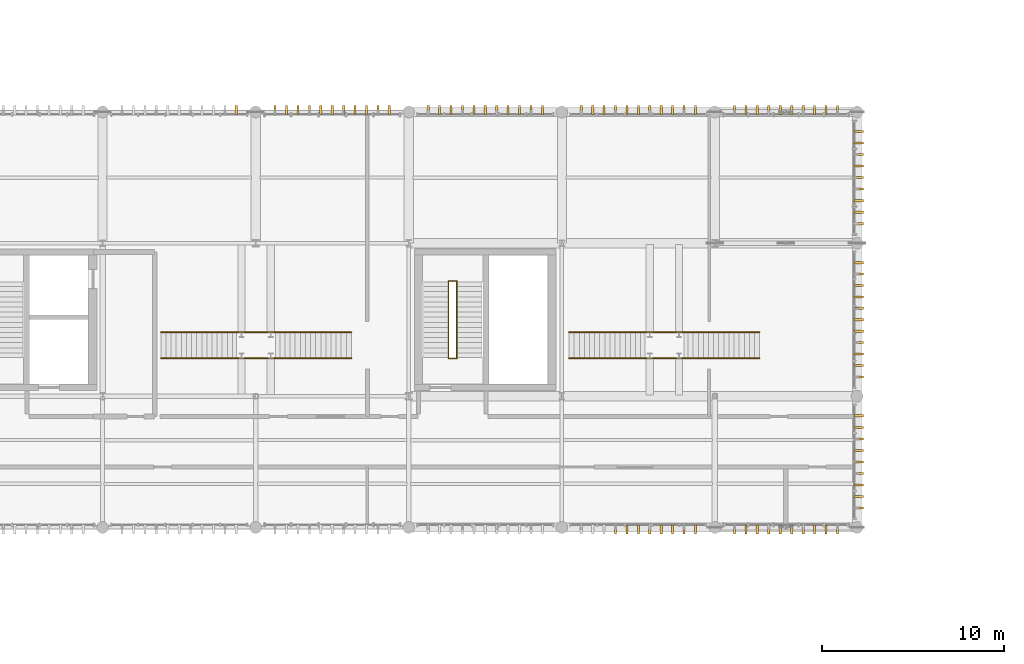
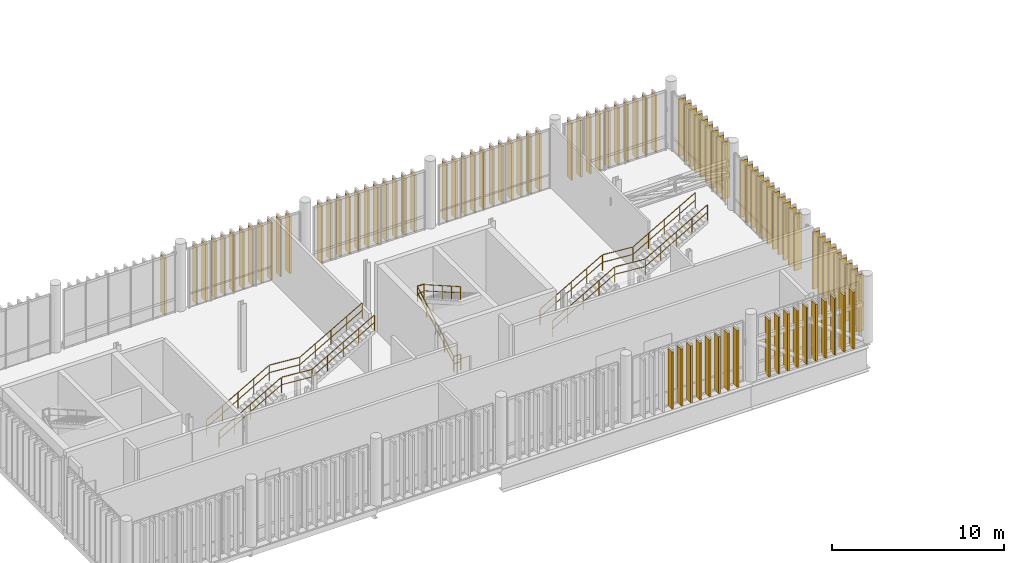
# One storey, part 82 of 86: 91 coverings, 8 railings.
"""IFC4 building model written with IfcOpenShell, lengths in metres."""

import ifcopenshell
import ifcopenshell.guid

model = None  # the IFC model being written
_history = None  # IfcOwnerHistory: only IFC2X3 demands one
_inside = {}  # id of a spatial element -> (the spatial element, [elements in it])
_under = {}  # id of a project, library or spatial element -> (it, [spatial elements below it])
_declared = {}  # id of a project -> (the project, [libraries it declares])
_typed = {}  # id of a type object -> (the type object, [elements of that type])
_made_of = {}  # id of a material, layer set ... -> (it, [elements and type objects made of it])


def new_model(schema):
    """Start an empty IFC model of exactly this schema.

    Asked for "IFC4X3", IfcOpenShell would pick the latest addendum, in which some entities
    have other attributes; the version numbers below select the first issue.
    IFC2X3 requires an IfcOwnerHistory on every rooted entity: one is made here for all.
    """
    global model, _history
    if schema == "IFC4X3":
        model = ifcopenshell.file(schema_version=(4, 3, 0, 0))
    else:
        model = ifcopenshell.file(schema=schema)
    _inside.clear()
    _under.clear()
    _declared.clear()
    _typed.clear()
    _made_of.clear()
    _history = None
    if model.schema == "IFC2X3":
        org = make("IfcOrganization", Name="unknown")
        user = make(
            "IfcPersonAndOrganization",
            ThePerson=make("IfcPerson", FamilyName="unknown"),
            TheOrganization=org,
        )
        app = make(
            "IfcApplication",
            ApplicationDeveloper=org,
            Version="unknown",
            ApplicationFullName="unknown",
            ApplicationIdentifier="unknown",
        )
        _history = make(
            "IfcOwnerHistory",
            OwningUser=user,
            OwningApplication=app,
            ChangeAction="ADDED",
            CreationDate=0,
        )
    return model


def make(cls, **values):
    """One entity of the class cls with the attributes given. An attribute that is None is left unset."""
    return model.create_entity(
        cls, **{name: value for name, value in values.items() if value is not None}
    )


def rooted(cls, **values):
    """An entity with a GlobalId (a new one), such as an element, a storey or a relation."""
    return make(cls, GlobalId=ifcopenshell.guid.new(), OwnerHistory=_history, **values)


def si_unit(unit_type, name, prefix=None):
    """IfcSIUnit, for example si_unit("LENGTHUNIT", "METRE", prefix="MILLI")."""
    return make("IfcSIUnit", UnitType=unit_type, Prefix=prefix, Name=name)


def assignment(units):
    """IfcUnitAssignment: the units of a project."""
    return None if units is None else make("IfcUnitAssignment", Units=units)


def point(xyz):
    """IfcCartesianPoint."""
    return None if xyz is None else make("IfcCartesianPoint", Coordinates=xyz)


def direction(xyz):
    """IfcDirection."""
    return None if xyz is None else make("IfcDirection", DirectionRatios=xyz)


def frame(location, z_axis=None, x_axis=None):
    """IfcAxis2Placement3D, a coordinate frame: its origin and axes. An axis left out is left unset."""
    return make(
        "IfcAxis2Placement3D",
        Location=point(location),
        Axis=direction(z_axis),
        RefDirection=direction(x_axis),
    )


def frame_2d(location, x_axis=None):
    """IfcAxis2Placement2D, a coordinate frame in the plane: its origin and x axis."""
    return make(
        "IfcAxis2Placement2D", Location=point(location), RefDirection=direction(x_axis)
    )


def origin_with_axes():
    """The frame at (0, 0, 0) with the z axis (0, 0, 1) and the x axis (1, 0, 0) written out."""
    return frame((0.0, 0.0, 0.0), z_axis=(0.0, 0.0, 1.0), x_axis=(1.0, 0.0, 0.0))


def origin_2d_with_axis():
    """The frame at (0, 0) in the plane with the x axis (1, 0) written out."""
    return frame_2d((0.0, 0.0), x_axis=(1.0, 0.0))


def place(relative_to, where):
    """IfcLocalPlacement: puts the frame where relative to a parent placement (None: the world)."""
    return make(
        "IfcLocalPlacement", PlacementRelTo=relative_to, RelativePlacement=where
    )


def context(
    kind, dimensions, precision=None, world=None, true_north=None, identifier=None
):
    """IfcGeometricRepresentationContext, for example the 3D "Model" context."""
    return make(
        "IfcGeometricRepresentationContext",
        ContextIdentifier=identifier,
        ContextType=kind,
        CoordinateSpaceDimension=dimensions,
        Precision=precision,
        WorldCoordinateSystem=world,
        TrueNorth=true_north,
    )


def subcontext(parent, identifier, kind, view, scale=None):
    """IfcGeometricRepresentationSubContext, for example "Body" below "Model"."""
    return make(
        "IfcGeometricRepresentationSubContext",
        ContextIdentifier=identifier,
        ContextType=kind,
        ParentContext=parent,
        TargetScale=scale,
        TargetView=view,
    )


def project(units=None, contexts=None):
    """IfcProject with its units and contexts."""
    return rooted(
        "IfcProject",
        Name="project",
        RepresentationContexts=contexts,
        UnitsInContext=assignment(units),
    )


def spatial(cls, under=None, at=None, **own):
    """A site, building, storey or space (cls), placed at a placement, below another one or the project."""
    s = rooted(cls, ObjectPlacement=at, **own)
    if under is not None:
        _under.setdefault(under.id(), (under, []))[1].append(s)
    return s


def profile(cls, at=None, kind="AREA", **sizes):
    """A parametric profile (cls). Its sizes go by their IFC names, for example OverallWidth=200.0."""
    return make(cls, ProfileType=kind, Position=at, **sizes)


def rectangle(**sizes):
    """IfcRectangleProfileDef."""
    return profile("IfcRectangleProfileDef", **sizes)


def circle(**sizes):
    """IfcCircleProfileDef."""
    return profile("IfcCircleProfileDef", **sizes)


def extrude(swept, where, along, depth):
    """IfcExtrudedAreaSolid: the profile swept, set in the frame where, extruded along a direction by depth."""
    return make(
        "IfcExtrudedAreaSolid",
        SweptArea=swept,
        Position=where,
        ExtrudedDirection=direction(along),
        Depth=depth,
    )


def shape(context_of_items, identifier, shape_type, items):
    """IfcShapeRepresentation: the items that make up one representation, for example the "Body"."""
    return make(
        "IfcShapeRepresentation",
        ContextOfItems=context_of_items,
        RepresentationIdentifier=identifier,
        RepresentationType=shape_type,
        Items=items,
    )


def material(Name=None, Category=None):
    """IfcMaterial."""
    return make("IfcMaterial", Name=Name, Category=Category)


def made_of(thing, what):
    """Note that an element or type object is made of a material, layer set ...; save() writes the relation."""
    if what is not None:
        _made_of.setdefault(what.id(), (what, []))[1].append(thing)
    return thing


def type_object(cls, material=None, **own):
    """A type object (cls), such as IfcWallType, which elements share."""
    return made_of(rooted(cls, **own), material)


def element(
    cls,
    number,
    at=None,
    inside=None,
    cuts=None,
    type_object=None,
    material=None,
    context=None,
    identifier="Body",
    shape_type=None,
    held_by="IfcProductDefinitionShape",
    body=None,
    shapes=None,
    **own,
):
    """One element of the class cls, such as IfcWall. Its Tag is "e" and its number.

    at: its placement. inside: the storey or other place that contains it. cuts: it is an
    opening in that element (IfcRelVoidsElement). A single representation is given by context,
    identifier, shape_type and body (its items); several are given by shapes. held_by: the class
    of the entity that holds the representations. save() writes the other relations.
    """
    e = rooted(cls, Tag="e%d" % number, ObjectPlacement=at, **own)
    if body is not None:
        shapes = [shape(context, identifier, shape_type, body)]
    if shapes is not None:
        e.Representation = make(held_by, Representations=shapes)
    if inside is not None:
        _inside.setdefault(inside.id(), (inside, []))[1].append(e)
    if cuts is not None:
        rooted(
            "IfcRelVoidsElement", RelatingBuildingElement=cuts, RelatedOpeningElement=e
        )
    if type_object is not None:
        _typed.setdefault(type_object.id(), (type_object, []))[1].append(e)
    return made_of(e, material)


def aggregate(whole, parts):
    """IfcRelAggregates: a whole, such as a stair, and the parts it consists of."""
    return rooted("IfcRelAggregates", RelatingObject=whole, RelatedObjects=parts)


def save(model, path):
    """Write the relations noted so far, then the file.

    IfcRelAggregates (storeys below a building ...), IfcRelContainedInSpatialStructure (elements
    in a storey), IfcRelDefinesByType, IfcRelAssociatesMaterial and IfcRelDeclares: one each for
    every whole, place, type object, material and project.
    """
    for whole, parts in _under.values():
        aggregate(whole, parts)
    for where, things in _inside.values():
        rooted(
            "IfcRelContainedInSpatialStructure",
            RelatedElements=things,
            RelatingStructure=where,
        )
    for kind, things in _typed.values():
        rooted("IfcRelDefinesByType", RelatedObjects=things, RelatingType=kind)
    for what, things in _made_of.values():
        rooted("IfcRelAssociatesMaterial", RelatedObjects=things, RelatingMaterial=what)
    for by, libraries in _declared.values():
        rooted("IfcRelDeclares", RelatingContext=by, RelatedDefinitions=libraries)
    model.write(path)


model = new_model("IFC4")

# Units and contexts
model_context = context("Model", 3, precision=1e-05, world=origin_with_axes(), true_north=direction((0.0, 1.0)))
body_context = subcontext(model_context, "Body", "Model", "MODEL_VIEW")
ifc_project = project(units=[si_unit("LENGTHUNIT", "METRE"), si_unit("AREAUNIT", "SQUARE_METRE"), si_unit("VOLUMEUNIT", "CUBIC_METRE"), si_unit("PLANEANGLEUNIT", "RADIAN"), si_unit("MASSUNIT", "GRAM", prefix="KILO"), si_unit("THERMODYNAMICTEMPERATUREUNIT", "KELVIN")], contexts=[model_context])

# Site, building, storey
site_placement = place(None, origin_with_axes())
site = spatial("IfcSite", under=ifc_project, at=site_placement, CompositionType="ELEMENT")
building_placement = place(site_placement, origin_with_axes())
building = spatial("IfcBuilding", under=site, at=building_placement, Name="Montbau Bow Law Courts", CompositionType="ELEMENT")
storey_placement = place(building_placement, frame((0.0, 0.0, 29.7), z_axis=(0.0, 0.0, 1.0), x_axis=(1.0, 0.0, 0.0)))
storey = spatial("IfcBuildingStorey", under=building, at=storey_placement, Name="L06", CompositionType="ELEMENT", Elevation=29.7)

# Coverings
ifc_material_1 = material(Name="Freeze-Thaw Glazed Warm Cream Ceramic Vertical Louvre", Category="masonry")
covering_type = type_object("IfcCoveringType", Name="CV-LVR-CRM", PredefinedType="CLADDING", material=ifc_material_1)
for number, where, z_axis, x_axis, name in (
    (1, (91.747, 39.13, 29.7), (-1.0, 0.0, 0.0), (0.0, -1.0, 0.0), "CLV-L06-1950:cov_1995"),
    (2, (92.373, 39.13, 29.7), (-1.0, 0.0, 0.0), (0.0, -1.0, 0.0), "CLV-L06-1951:cov_1996"),
    (3, (93.0, 39.13, 29.7), (-1.0, 0.0, 0.0), (0.0, -1.0, 0.0), "CLV-L06-1952:cov_1997"),
    (4, (93.627, 39.13, 29.7), (-1.0, 0.0, 0.0), (0.0, -1.0, 0.0), "CLV-L06-1953:cov_1998"),
    (5, (94.253, 39.13, 29.7), (-1.0, 0.0, 0.0), (0.0, -1.0, 0.0), "CLV-L06-1954:cov_1999"),
    (6, (94.88, 39.13, 29.7), (-1.0, 0.0, 0.0), (0.0, -1.0, 0.0), "CLV-L06-1955:cov_2000"),
    (7, (95.507, 39.13, 29.7), (-1.0, 0.0, 0.0), (0.0, -1.0, 0.0), "CLV-L06-1956:cov_2001"),
    (8, (96.133, 39.13, 29.7), (-1.0, 0.0, 0.0), (0.0, -1.0, 0.0), "CLV-L06-1957:cov_2002"),
    (9, (98.269, 39.13, 29.7), (-1.0, 0.0, 0.0), (0.0, -1.0, 0.0), "CLV-L06-1958:cov_2003"),
    (10, (98.898, 39.13, 29.7), (-1.0, 0.0, 0.0), (0.0, -1.0, 0.0), "CLV-L06-1959:cov_2004"),
    (11, (99.527, 39.13, 29.7), (-1.0, 0.0, 0.0), (0.0, -1.0, 0.0), "CLV-L06-1960:cov_2005"),
    (12, (100.156, 39.13, 29.7), (-1.0, 0.0, 0.0), (0.0, -1.0, 0.0), "CLV-L06-1961:cov_2006"),
    (13, (100.785, 39.13, 29.7), (-1.0, 0.0, 0.0), (0.0, -1.0, 0.0), "CLV-L06-1962:cov_2007"),
    (14, (101.415, 39.13, 29.7), (-1.0, 0.0, 0.0), (0.0, -1.0, 0.0), "CLV-L06-1963:cov_2008"),
    (15, (102.044, 39.13, 29.7), (-1.0, 0.0, 0.0), (0.0, -1.0, 0.0), "CLV-L06-1964:cov_2009"),
    (16, (102.673, 39.13, 29.7), (-1.0, 0.0, 0.0), (0.0, -1.0, 0.0), "CLV-L06-1965:cov_2010"),
    (17, (103.302, 39.13, 29.7), (-1.0, 0.0, 0.0), (0.0, -1.0, 0.0), "CLV-L06-1966:cov_2011"),
    (18, (103.931, 39.13, 29.7), (-1.0, 0.0, 0.0), (0.0, -1.0, 0.0), "CLV-L06-1967:cov_2012"),
    (19, (70.933, 61.67, 29.7), (1.0, 0.0, 0.0), (0.0, 1.0, 0.0), "CLV-L06-1989:cov_2034"),
    (20, (73.067, 61.67, 29.7), (1.0, 0.0, 0.0), (0.0, 1.0, 0.0), "CLV-L06-1990:cov_2035"),
    (21, (73.693, 61.67, 29.7), (1.0, 0.0, 0.0), (0.0, 1.0, 0.0), "CLV-L06-1991:cov_2036"),
    (22, (74.32, 61.67, 29.7), (1.0, 0.0, 0.0), (0.0, 1.0, 0.0), "CLV-L06-1992:cov_2037"),
    (23, (74.947, 61.67, 29.7), (1.0, 0.0, 0.0), (0.0, 1.0, 0.0), "CLV-L06-1993:cov_2038"),
    (24, (75.573, 61.67, 29.7), (1.0, 0.0, 0.0), (0.0, 1.0, 0.0), "CLV-L06-1994:cov_2039"),
    (25, (76.2, 61.67, 29.7), (1.0, 0.0, 0.0), (0.0, 1.0, 0.0), "CLV-L06-1995:cov_2040"),
    (26, (76.827, 61.67, 29.7), (1.0, 0.0, 0.0), (0.0, 1.0, 0.0), "CLV-L06-1996:cov_2041"),
    (27, (77.453, 61.67, 29.7), (1.0, 0.0, 0.0), (0.0, 1.0, 0.0), "CLV-L06-1997:cov_2042"),
    (28, (78.08, 61.67, 29.7), (1.0, 0.0, 0.0), (0.0, 1.0, 0.0), "CLV-L06-1998:cov_2043"),
    (29, (78.707, 61.67, 29.7), (1.0, 0.0, 0.0), (0.0, 1.0, 0.0), "CLV-L06-1999:cov_2044"),
    (30, (79.333, 61.67, 29.7), (1.0, 0.0, 0.0), (0.0, 1.0, 0.0), "CLV-L06-2000:cov_2045"),
    (31, (81.467, 61.67, 29.7), (1.0, 0.0, 0.0), (0.0, 1.0, 0.0), "CLV-L06-2001:cov_2046"),
    (32, (82.093, 61.67, 29.7), (1.0, 0.0, 0.0), (0.0, 1.0, 0.0), "CLV-L06-2002:cov_2047"),
    (33, (82.72, 61.67, 29.7), (1.0, 0.0, 0.0), (0.0, 1.0, 0.0), "CLV-L06-2003:cov_2048"),
    (34, (83.347, 61.67, 29.7), (1.0, 0.0, 0.0), (0.0, 1.0, 0.0), "CLV-L06-2004:cov_2049"),
    (35, (83.973, 61.67, 29.7), (1.0, 0.0, 0.0), (0.0, 1.0, 0.0), "CLV-L06-2005:cov_2050"),
    (36, (84.6, 61.67, 29.7), (1.0, 0.0, 0.0), (0.0, 1.0, 0.0), "CLV-L06-2006:cov_2051"),
    (37, (85.227, 61.67, 29.7), (1.0, 0.0, 0.0), (0.0, 1.0, 0.0), "CLV-L06-2007:cov_2052"),
    (38, (85.853, 61.67, 29.7), (1.0, 0.0, 0.0), (0.0, 1.0, 0.0), "CLV-L06-2008:cov_2053"),
    (39, (86.48, 61.67, 29.7), (1.0, 0.0, 0.0), (0.0, 1.0, 0.0), "CLV-L06-2009:cov_2054"),
    (40, (87.107, 61.67, 29.7), (1.0, 0.0, 0.0), (0.0, 1.0, 0.0), "CLV-L06-2010:cov_2055"),
    (41, (87.733, 61.67, 29.7), (1.0, 0.0, 0.0), (0.0, 1.0, 0.0), "CLV-L06-2011:cov_2056"),
    (42, (89.867, 61.67, 29.7), (1.0, 0.0, 0.0), (0.0, 1.0, 0.0), "CLV-L06-2012:cov_2057"),
    (43, (90.493, 61.67, 29.7), (1.0, 0.0, 0.0), (0.0, 1.0, 0.0), "CLV-L06-2013:cov_2058"),
    (44, (91.12, 61.67, 29.7), (1.0, 0.0, 0.0), (0.0, 1.0, 0.0), "CLV-L06-2014:cov_2059"),
    (45, (91.747, 61.67, 29.7), (1.0, 0.0, 0.0), (0.0, 1.0, 0.0), "CLV-L06-2015:cov_2060"),
    (46, (92.373, 61.67, 29.7), (1.0, 0.0, 0.0), (0.0, 1.0, 0.0), "CLV-L06-2016:cov_2061"),
    (47, (93.0, 61.67, 29.7), (1.0, 0.0, 0.0), (0.0, 1.0, 0.0), "CLV-L06-2017:cov_2062"),
    (48, (93.627, 61.67, 29.7), (1.0, 0.0, 0.0), (0.0, 1.0, 0.0), "CLV-L06-2018:cov_2063"),
    (49, (94.253, 61.67, 29.7), (1.0, 0.0, 0.0), (0.0, 1.0, 0.0), "CLV-L06-2019:cov_2064"),
    (50, (94.88, 61.67, 29.7), (1.0, 0.0, 0.0), (0.0, 1.0, 0.0), "CLV-L06-2020:cov_2065"),
    (51, (95.507, 61.67, 29.7), (1.0, 0.0, 0.0), (0.0, 1.0, 0.0), "CLV-L06-2021:cov_2066"),
    (52, (96.133, 61.67, 29.7), (1.0, 0.0, 0.0), (0.0, 1.0, 0.0), "CLV-L06-2022:cov_2067"),
    (53, (98.269, 61.67, 29.7), (1.0, 0.0, 0.0), (0.0, 1.0, 0.0), "CLV-L06-2023:cov_2068"),
    (54, (98.898, 61.67, 29.7), (1.0, 0.0, 0.0), (0.0, 1.0, 0.0), "CLV-L06-2024:cov_2069"),
    (55, (99.527, 61.67, 29.7), (1.0, 0.0, 0.0), (0.0, 1.0, 0.0), "CLV-L06-2025:cov_2070"),
    (56, (100.156, 61.67, 29.7), (1.0, 0.0, 0.0), (0.0, 1.0, 0.0), "CLV-L06-2026:cov_2071"),
    (57, (100.785, 61.67, 29.7), (1.0, 0.0, 0.0), (0.0, 1.0, 0.0), "CLV-L06-2027:cov_2072"),
    (58, (101.415, 61.67, 29.7), (1.0, 0.0, 0.0), (0.0, 1.0, 0.0), "CLV-L06-2028:cov_2073"),
    (59, (102.044, 61.67, 29.7), (1.0, 0.0, 0.0), (0.0, 1.0, 0.0), "CLV-L06-2029:cov_2074"),
    (60, (102.673, 61.67, 29.7), (1.0, 0.0, 0.0), (0.0, 1.0, 0.0), "CLV-L06-2030:cov_2075"),
    (61, (103.302, 61.67, 29.7), (1.0, 0.0, 0.0), (0.0, 1.0, 0.0), "CLV-L06-2031:cov_2076"),
    (62, (103.931, 61.67, 29.7), (1.0, 0.0, 0.0), (0.0, 1.0, 0.0), "CLV-L06-2032:cov_2077"),
    (63, (104.87, 40.072, 29.7), (0.0, -1.0, 0.0), (1.0, 0.0, 0.0), "CLV-L06-2062:cov_2107"),
    (64, (104.87, 40.704, 29.7), (0.0, -1.0, 0.0), (1.0, 0.0, 0.0), "CLV-L06-2063:cov_2108"),
    (65, (104.87, 41.336, 29.7), (0.0, -1.0, 0.0), (1.0, 0.0, 0.0), "CLV-L06-2064:cov_2109"),
    (66, (104.87, 41.968, 29.7), (0.0, -1.0, 0.0), (1.0, 0.0, 0.0), "CLV-L06-2065:cov_2110"),
    (67, (104.87, 42.6, 29.7), (0.0, -1.0, 0.0), (1.0, 0.0, 0.0), "CLV-L06-2066:cov_2111"),
    (68, (104.87, 43.232, 29.7), (0.0, -1.0, 0.0), (1.0, 0.0, 0.0), "CLV-L06-2067:cov_2112"),
    (69, (104.87, 43.864, 29.7), (0.0, -1.0, 0.0), (1.0, 0.0, 0.0), "CLV-L06-2068:cov_2113"),
    (70, (104.87, 44.496, 29.7), (0.0, -1.0, 0.0), (1.0, 0.0, 0.0), "CLV-L06-2069:cov_2114"),
    (71, (104.87, 45.128, 29.7), (0.0, -1.0, 0.0), (1.0, 0.0, 0.0), "CLV-L06-2070:cov_2115"),
    (72, (104.87, 47.267, 29.7), (0.0, -1.0, 0.0), (1.0, 0.0, 0.0), "CLV-L06-2071:cov_2116"),
    (73, (104.87, 47.893, 29.7), (0.0, -1.0, 0.0), (1.0, 0.0, 0.0), "CLV-L06-2072:cov_2117"),
    (74, (104.87, 48.52, 29.7), (0.0, -1.0, 0.0), (1.0, 0.0, 0.0), "CLV-L06-2073:cov_2118"),
    (75, (104.87, 49.147, 29.7), (0.0, -1.0, 0.0), (1.0, 0.0, 0.0), "CLV-L06-2074:cov_2119"),
    (76, (104.87, 49.773, 29.7), (0.0, -1.0, 0.0), (1.0, 0.0, 0.0), "CLV-L06-2075:cov_2120"),
    (77, (104.87, 50.4, 29.7), (0.0, -1.0, 0.0), (1.0, 0.0, 0.0), "CLV-L06-2076:cov_2121"),
    (78, (104.87, 51.027, 29.7), (0.0, -1.0, 0.0), (1.0, 0.0, 0.0), "CLV-L06-2077:cov_2122"),
    (79, (104.87, 51.653, 29.7), (0.0, -1.0, 0.0), (1.0, 0.0, 0.0), "CLV-L06-2078:cov_2123"),
    (80, (104.87, 52.28, 29.7), (0.0, -1.0, 0.0), (1.0, 0.0, 0.0), "CLV-L06-2079:cov_2124"),
    (81, (104.87, 52.907, 29.7), (0.0, -1.0, 0.0), (1.0, 0.0, 0.0), "CLV-L06-2080:cov_2125"),
    (82, (104.87, 53.533, 29.7), (0.0, -1.0, 0.0), (1.0, 0.0, 0.0), "CLV-L06-2081:cov_2126"),
    (83, (104.87, 55.672, 29.7), (0.0, -1.0, 0.0), (1.0, 0.0, 0.0), "CLV-L06-2082:cov_2127"),
    (84, (104.87, 56.304, 29.7), (0.0, -1.0, 0.0), (1.0, 0.0, 0.0), "CLV-L06-2083:cov_2128"),
    (85, (104.87, 56.936, 29.7), (0.0, -1.0, 0.0), (1.0, 0.0, 0.0), "CLV-L06-2084:cov_2129"),
    (86, (104.87, 57.568, 29.7), (0.0, -1.0, 0.0), (1.0, 0.0, 0.0), "CLV-L06-2085:cov_2130"),
    (87, (104.87, 58.2, 29.7), (0.0, -1.0, 0.0), (1.0, 0.0, 0.0), "CLV-L06-2086:cov_2131"),
    (88, (104.87, 58.832, 29.7), (0.0, -1.0, 0.0), (1.0, 0.0, 0.0), "CLV-L06-2087:cov_2132"),
    (89, (104.87, 59.464, 29.7), (0.0, -1.0, 0.0), (1.0, 0.0, 0.0), "CLV-L06-2088:cov_2133"),
    (90, (104.87, 60.096, 29.7), (0.0, -1.0, 0.0), (1.0, 0.0, 0.0), "CLV-L06-2089:cov_2134"),
    (91, (104.87, 60.728, 29.7), (0.0, -1.0, 0.0), (1.0, 0.0, 0.0), "CLV-L06-2090:cov_2135"),
):
    element("IfcCovering", number, at=place(None, frame(where, z_axis=z_axis, x_axis=x_axis)), inside=storey, type_object=covering_type, Name=name, PredefinedType="CLADDING", context=body_context, shape_type="SweptSolid", body=[
        extrude(rectangle(XDim=0.48, YDim=4.04, at=frame_2d((0.24, 2.02), x_axis=(1.0, 0.0))), frame((0.0, 0.0, -0.06), z_axis=(0.0, 0.0, 1.0), x_axis=(1.0, 0.0, 0.0)), (0.0, 0.0, 1.0), 0.12),
    ])

# Railings
ifc_material_2 = material(Name="Architectural Bronze-Finished Steel Stair Guard", Category="steel")
railing_type_1 = type_object("IfcRailingType", Name="RL-GRD-1100", PredefinedType="GUARDRAIL", material=ifc_material_2)
railing_1_placement = place(None, origin_with_axes())
element("IfcRailing", 92, at=railing_1_placement, inside=storey, type_object=railing_type_1, Name="SG-ST-P3-L06-ML:rlg_0157", PredefinedType="GUARDRAIL", context=body_context, shape_type="SweptSolid", body=[
    extrude(circle(Radius=0.0225, at=origin_2d_with_axis()), frame((82.585, 52.53, 33.202), z_axis=(1.0, 0.0, 0.0), x_axis=(0.0, 0.0, 1.0)), (0.0, 0.0, 1.0), 0.455),
    extrude(circle(Radius=0.02025, at=origin_2d_with_axis()), frame((82.585, 52.53, 32.672), z_axis=(1.0, 0.0, 0.0), x_axis=(0.0, 0.0, 1.0)), (0.0, 0.0, 1.0), 0.455),
    extrude(circle(Radius=0.02025, at=origin_2d_with_axis()), frame((82.585, 52.53, 32.1), z_axis=(0.0, 0.0, 1.0), x_axis=(1.0, 0.0, 0.0)), (0.0, 0.0, 1.0), 1.07525),
    extrude(circle(Radius=0.02025, at=origin_2d_with_axis()), frame((83.04, 52.53, 32.1), z_axis=(0.0, 0.0, 1.0), x_axis=(1.0, 0.0, 0.0)), (0.0, 0.0, 1.0), 1.07525),
])
railing_2_placement = place(None, origin_with_axes())
element("IfcRailing", 93, at=railing_2_placement, inside=storey, type_object=railing_type_1, Name="SG-ST-P3-L06-BL:rlg_0158", PredefinedType="GUARDRAIL", context=body_context, shape_type="SweptSolid", body=[
    extrude(circle(Radius=0.0225, at=origin_2d_with_axis()), frame((82.585, 48.27, 30.802), z_axis=(1.0, 0.0, 0.0), x_axis=(0.0, 0.0, 1.0)), (0.0, 0.0, 1.0), 0.455),
    extrude(circle(Radius=0.02025, at=origin_2d_with_axis()), frame((82.585, 48.27, 30.272), z_axis=(1.0, 0.0, 0.0), x_axis=(0.0, 0.0, 1.0)), (0.0, 0.0, 1.0), 0.455),
    extrude(circle(Radius=0.02025, at=origin_2d_with_axis()), frame((82.585, 48.27, 29.7), z_axis=(0.0, 0.0, 1.0), x_axis=(1.0, 0.0, 0.0)), (0.0, 0.0, 1.0), 1.07525),
    extrude(circle(Radius=0.02025, at=origin_2d_with_axis()), frame((83.04, 48.27, 29.7), z_axis=(0.0, 0.0, 1.0), x_axis=(1.0, 0.0, 0.0)), (0.0, 0.0, 1.0), 1.07525),
])
railing_3_placement = place(None, origin_with_axes())
element("IfcRailing", 94, at=railing_3_placement, inside=storey, type_object=railing_type_1, Name="SG-ST-LIB-01-S:rlg_0290", PredefinedType="GUARDRAIL", context=body_context, shape_type="SweptSolid", body=[
    extrude(circle(Radius=0.0225, at=origin_2d_with_axis()), frame((66.8, 48.29, 30.962), z_axis=(0.868243142, 0.0, 0.496138938), x_axis=(-0.496138938, 0.0, 0.868243142)), (0.0, 0.0, 1.0), 4.808105),
    extrude(circle(Radius=0.02025, at=origin_2d_with_axis()), frame((66.8, 48.29, 30.432), z_axis=(0.868243142, 0.0, 0.496138938), x_axis=(-0.496138938, 0.0, 0.868243142)), (0.0, 0.0, 1.0), 4.808105),
    extrude(circle(Radius=0.02025, at=origin_2d_with_axis()), frame((66.8, 48.29, 29.86), z_axis=(0.0, 0.0, 1.0), x_axis=(1.0, 0.0, 0.0)), (0.0, 0.0, 1.0), 1.07525),
    extrude(circle(Radius=0.02025, at=origin_2d_with_axis()), frame((67.85, 48.29, 30.46), z_axis=(0.0, 0.0, 1.0), x_axis=(1.0, 0.0, 0.0)), (0.0, 0.0, 1.0), 1.07525),
    extrude(circle(Radius=0.02025, at=origin_2d_with_axis()), frame((68.9, 48.29, 31.06), z_axis=(0.0, 0.0, 1.0), x_axis=(1.0, 0.0, 0.0)), (0.0, 0.0, 1.0), 1.07525),
    extrude(circle(Radius=0.02025, at=origin_2d_with_axis()), frame((69.95, 48.29, 31.66), z_axis=(0.0, 0.0, 1.0), x_axis=(1.0, 0.0, 0.0)), (0.0, 0.0, 1.0), 1.07525),
    extrude(circle(Radius=0.02025, at=origin_2d_with_axis()), frame((71.0, 48.29, 32.26), z_axis=(0.0, 0.0, 1.0), x_axis=(1.0, 0.0, 0.0)), (0.0, 0.0, 1.0), 1.07525),
    extrude(circle(Radius=0.0225, at=origin_2d_with_axis()), frame((71.029161, 48.29, 33.359724), z_axis=(0.996968039, 0.0, -0.07781214), x_axis=(0.07781214, 0.0, 0.996968039)), (0.0, 0.0, 1.0), 1.997734),
    extrude(circle(Radius=0.02025, at=origin_2d_with_axis()), frame((71.029161, 48.29, 32.829724), z_axis=(0.996968039, 0.0, -0.07781214), x_axis=(0.07781214, 0.0, 0.996968039)), (0.0, 0.0, 1.0), 1.997734),
    extrude(circle(Radius=0.02025, at=origin_2d_with_axis()), frame((73.05, 48.29, 32.1), z_axis=(0.0, 0.0, 1.0), x_axis=(1.0, 0.0, 0.0)), (0.0, 0.0, 1.0), 1.07525),
    extrude(circle(Radius=0.0225, at=origin_2d_with_axis()), frame((73.075396, 48.29, 33.216512), z_axis=(0.868243142, 0.0, 0.496138938), x_axis=(-0.496138938, 0.0, 0.868243142)), (0.0, 0.0, 1.0), 4.808105),
    extrude(circle(Radius=0.02025, at=origin_2d_with_axis()), frame((73.075396, 48.29, 32.686512), z_axis=(0.868243142, 0.0, 0.496138938), x_axis=(-0.496138938, 0.0, 0.868243142)), (0.0, 0.0, 1.0), 4.808105),
    extrude(circle(Radius=0.02025, at=origin_2d_with_axis()), frame((74.1, 48.29, 32.7), z_axis=(0.0, 0.0, 1.0), x_axis=(1.0, 0.0, 0.0)), (0.0, 0.0, 1.0), 1.07525),
    extrude(circle(Radius=0.02025, at=origin_2d_with_axis()), frame((75.15, 48.29, 33.3), z_axis=(0.0, 0.0, 1.0), x_axis=(1.0, 0.0, 0.0)), (0.0, 0.0, 1.0), 1.07525),
    extrude(circle(Radius=0.02025, at=origin_2d_with_axis()), frame((76.2, 48.29, 33.9), z_axis=(0.0, 0.0, 1.0), x_axis=(1.0, 0.0, 0.0)), (0.0, 0.0, 1.0), 1.07525),
    extrude(circle(Radius=0.02025, at=origin_2d_with_axis()), frame((77.25, 48.29, 34.5), z_axis=(0.0, 0.0, 1.0), x_axis=(1.0, 0.0, 0.0)), (0.0, 0.0, 1.0), 1.07525),
])
railing_4_placement = place(None, origin_with_axes())
element("IfcRailing", 95, at=railing_4_placement, inside=storey, type_object=railing_type_1, Name="SG-ST-LIB-01-N:rlg_0291", PredefinedType="GUARDRAIL", context=body_context, shape_type="SweptSolid", body=[
    extrude(circle(Radius=0.0225, at=origin_2d_with_axis()), frame((66.8, 49.71, 30.962), z_axis=(0.868243142, 0.0, 0.496138938), x_axis=(-0.496138938, 0.0, 0.868243142)), (0.0, 0.0, 1.0), 4.808105),
    extrude(circle(Radius=0.02025, at=origin_2d_with_axis()), frame((66.8, 49.71, 30.432), z_axis=(0.868243142, 0.0, 0.496138938), x_axis=(-0.496138938, 0.0, 0.868243142)), (0.0, 0.0, 1.0), 4.808105),
    extrude(circle(Radius=0.02025, at=origin_2d_with_axis()), frame((66.8, 49.71, 29.86), z_axis=(0.0, 0.0, 1.0), x_axis=(1.0, 0.0, 0.0)), (0.0, 0.0, 1.0), 1.07525),
    extrude(circle(Radius=0.02025, at=origin_2d_with_axis()), frame((67.85, 49.71, 30.46), z_axis=(0.0, 0.0, 1.0), x_axis=(1.0, 0.0, 0.0)), (0.0, 0.0, 1.0), 1.07525),
    extrude(circle(Radius=0.02025, at=origin_2d_with_axis()), frame((68.9, 49.71, 31.06), z_axis=(0.0, 0.0, 1.0), x_axis=(1.0, 0.0, 0.0)), (0.0, 0.0, 1.0), 1.07525),
    extrude(circle(Radius=0.02025, at=origin_2d_with_axis()), frame((69.95, 49.71, 31.66), z_axis=(0.0, 0.0, 1.0), x_axis=(1.0, 0.0, 0.0)), (0.0, 0.0, 1.0), 1.07525),
    extrude(circle(Radius=0.02025, at=origin_2d_with_axis()), frame((71.0, 49.71, 32.26), z_axis=(0.0, 0.0, 1.0), x_axis=(1.0, 0.0, 0.0)), (0.0, 0.0, 1.0), 1.07525),
    extrude(circle(Radius=0.0225, at=origin_2d_with_axis()), frame((71.029161, 49.71, 33.359724), z_axis=(0.996968039, 0.0, -0.07781214), x_axis=(0.07781214, 0.0, 0.996968039)), (0.0, 0.0, 1.0), 1.997734),
    extrude(circle(Radius=0.02025, at=origin_2d_with_axis()), frame((71.029161, 49.71, 32.829724), z_axis=(0.996968039, 0.0, -0.07781214), x_axis=(0.07781214, 0.0, 0.996968039)), (0.0, 0.0, 1.0), 1.997734),
    extrude(circle(Radius=0.02025, at=origin_2d_with_axis()), frame((73.05, 49.71, 32.1), z_axis=(0.0, 0.0, 1.0), x_axis=(1.0, 0.0, 0.0)), (0.0, 0.0, 1.0), 1.07525),
    extrude(circle(Radius=0.0225, at=origin_2d_with_axis()), frame((73.075396, 49.71, 33.216512), z_axis=(0.868243142, 0.0, 0.496138938), x_axis=(-0.496138938, 0.0, 0.868243142)), (0.0, 0.0, 1.0), 4.808105),
    extrude(circle(Radius=0.02025, at=origin_2d_with_axis()), frame((73.075396, 49.71, 32.686512), z_axis=(0.868243142, 0.0, 0.496138938), x_axis=(-0.496138938, 0.0, 0.868243142)), (0.0, 0.0, 1.0), 4.808105),
    extrude(circle(Radius=0.02025, at=origin_2d_with_axis()), frame((74.1, 49.71, 32.7), z_axis=(0.0, 0.0, 1.0), x_axis=(1.0, 0.0, 0.0)), (0.0, 0.0, 1.0), 1.07525),
    extrude(circle(Radius=0.02025, at=origin_2d_with_axis()), frame((75.15, 49.71, 33.3), z_axis=(0.0, 0.0, 1.0), x_axis=(1.0, 0.0, 0.0)), (0.0, 0.0, 1.0), 1.07525),
    extrude(circle(Radius=0.02025, at=origin_2d_with_axis()), frame((76.2, 49.71, 33.9), z_axis=(0.0, 0.0, 1.0), x_axis=(1.0, 0.0, 0.0)), (0.0, 0.0, 1.0), 1.07525),
    extrude(circle(Radius=0.02025, at=origin_2d_with_axis()), frame((77.25, 49.71, 34.5), z_axis=(0.0, 0.0, 1.0), x_axis=(1.0, 0.0, 0.0)), (0.0, 0.0, 1.0), 1.07525),
])
railing_5_placement = place(None, origin_with_axes())
element("IfcRailing", 96, at=railing_5_placement, inside=storey, type_object=railing_type_1, Name="SG-ST-LIB-02-S:rlg_0293", PredefinedType="GUARDRAIL", context=body_context, shape_type="SweptSolid", body=[
    extrude(circle(Radius=0.0225, at=origin_2d_with_axis()), frame((89.2, 48.29, 30.962), z_axis=(0.868243142, 0.0, 0.496138938), x_axis=(-0.496138938, 0.0, 0.868243142)), (0.0, 0.0, 1.0), 4.808105),
    extrude(circle(Radius=0.02025, at=origin_2d_with_axis()), frame((89.2, 48.29, 30.432), z_axis=(0.868243142, 0.0, 0.496138938), x_axis=(-0.496138938, 0.0, 0.868243142)), (0.0, 0.0, 1.0), 4.808105),
    extrude(circle(Radius=0.02025, at=origin_2d_with_axis()), frame((89.2, 48.29, 29.86), z_axis=(0.0, 0.0, 1.0), x_axis=(1.0, 0.0, 0.0)), (0.0, 0.0, 1.0), 1.07525),
    extrude(circle(Radius=0.02025, at=origin_2d_with_axis()), frame((90.25, 48.29, 30.46), z_axis=(0.0, 0.0, 1.0), x_axis=(1.0, 0.0, 0.0)), (0.0, 0.0, 1.0), 1.07525),
    extrude(circle(Radius=0.02025, at=origin_2d_with_axis()), frame((91.3, 48.29, 31.06), z_axis=(0.0, 0.0, 1.0), x_axis=(1.0, 0.0, 0.0)), (0.0, 0.0, 1.0), 1.07525),
    extrude(circle(Radius=0.02025, at=origin_2d_with_axis()), frame((92.35, 48.29, 31.66), z_axis=(0.0, 0.0, 1.0), x_axis=(1.0, 0.0, 0.0)), (0.0, 0.0, 1.0), 1.07525),
    extrude(circle(Radius=0.02025, at=origin_2d_with_axis()), frame((93.4, 48.29, 32.26), z_axis=(0.0, 0.0, 1.0), x_axis=(1.0, 0.0, 0.0)), (0.0, 0.0, 1.0), 1.07525),
    extrude(circle(Radius=0.0225, at=origin_2d_with_axis()), frame((93.429161, 48.29, 33.359724), z_axis=(0.996968039, 0.0, -0.07781214), x_axis=(0.07781214, 0.0, 0.996968039)), (0.0, 0.0, 1.0), 1.997734),
    extrude(circle(Radius=0.02025, at=origin_2d_with_axis()), frame((93.429161, 48.29, 32.829724), z_axis=(0.996968039, 0.0, -0.07781214), x_axis=(0.07781214, 0.0, 0.996968039)), (0.0, 0.0, 1.0), 1.997734),
    extrude(circle(Radius=0.02025, at=origin_2d_with_axis()), frame((95.45, 48.29, 32.1), z_axis=(0.0, 0.0, 1.0), x_axis=(1.0, 0.0, 0.0)), (0.0, 0.0, 1.0), 1.07525),
    extrude(circle(Radius=0.0225, at=origin_2d_with_axis()), frame((95.475396, 48.29, 33.216512), z_axis=(0.868243142, 0.0, 0.496138938), x_axis=(-0.496138938, 0.0, 0.868243142)), (0.0, 0.0, 1.0), 4.808105),
    extrude(circle(Radius=0.02025, at=origin_2d_with_axis()), frame((95.475396, 48.29, 32.686512), z_axis=(0.868243142, 0.0, 0.496138938), x_axis=(-0.496138938, 0.0, 0.868243142)), (0.0, 0.0, 1.0), 4.808105),
    extrude(circle(Radius=0.02025, at=origin_2d_with_axis()), frame((96.5, 48.29, 32.7), z_axis=(0.0, 0.0, 1.0), x_axis=(1.0, 0.0, 0.0)), (0.0, 0.0, 1.0), 1.07525),
    extrude(circle(Radius=0.02025, at=origin_2d_with_axis()), frame((97.55, 48.29, 33.3), z_axis=(0.0, 0.0, 1.0), x_axis=(1.0, 0.0, 0.0)), (0.0, 0.0, 1.0), 1.07525),
    extrude(circle(Radius=0.02025, at=origin_2d_with_axis()), frame((98.6, 48.29, 33.9), z_axis=(0.0, 0.0, 1.0), x_axis=(1.0, 0.0, 0.0)), (0.0, 0.0, 1.0), 1.07525),
    extrude(circle(Radius=0.02025, at=origin_2d_with_axis()), frame((99.65, 48.29, 34.5), z_axis=(0.0, 0.0, 1.0), x_axis=(1.0, 0.0, 0.0)), (0.0, 0.0, 1.0), 1.07525),
])
railing_6_placement = place(None, origin_with_axes())
element("IfcRailing", 97, at=railing_6_placement, inside=storey, type_object=railing_type_1, Name="SG-ST-LIB-02-N:rlg_0294", PredefinedType="GUARDRAIL", context=body_context, shape_type="SweptSolid", body=[
    extrude(circle(Radius=0.0225, at=origin_2d_with_axis()), frame((89.2, 49.71, 30.962), z_axis=(0.868243142, 0.0, 0.496138938), x_axis=(-0.496138938, 0.0, 0.868243142)), (0.0, 0.0, 1.0), 4.808105),
    extrude(circle(Radius=0.02025, at=origin_2d_with_axis()), frame((89.2, 49.71, 30.432), z_axis=(0.868243142, 0.0, 0.496138938), x_axis=(-0.496138938, 0.0, 0.868243142)), (0.0, 0.0, 1.0), 4.808105),
    extrude(circle(Radius=0.02025, at=origin_2d_with_axis()), frame((89.2, 49.71, 29.86), z_axis=(0.0, 0.0, 1.0), x_axis=(1.0, 0.0, 0.0)), (0.0, 0.0, 1.0), 1.07525),
    extrude(circle(Radius=0.02025, at=origin_2d_with_axis()), frame((90.25, 49.71, 30.46), z_axis=(0.0, 0.0, 1.0), x_axis=(1.0, 0.0, 0.0)), (0.0, 0.0, 1.0), 1.07525),
    extrude(circle(Radius=0.02025, at=origin_2d_with_axis()), frame((91.3, 49.71, 31.06), z_axis=(0.0, 0.0, 1.0), x_axis=(1.0, 0.0, 0.0)), (0.0, 0.0, 1.0), 1.07525),
    extrude(circle(Radius=0.02025, at=origin_2d_with_axis()), frame((92.35, 49.71, 31.66), z_axis=(0.0, 0.0, 1.0), x_axis=(1.0, 0.0, 0.0)), (0.0, 0.0, 1.0), 1.07525),
    extrude(circle(Radius=0.02025, at=origin_2d_with_axis()), frame((93.4, 49.71, 32.26), z_axis=(0.0, 0.0, 1.0), x_axis=(1.0, 0.0, 0.0)), (0.0, 0.0, 1.0), 1.07525),
    extrude(circle(Radius=0.0225, at=origin_2d_with_axis()), frame((93.429161, 49.71, 33.359724), z_axis=(0.996968039, 0.0, -0.07781214), x_axis=(0.07781214, 0.0, 0.996968039)), (0.0, 0.0, 1.0), 1.997734),
    extrude(circle(Radius=0.02025, at=origin_2d_with_axis()), frame((93.429161, 49.71, 32.829724), z_axis=(0.996968039, 0.0, -0.07781214), x_axis=(0.07781214, 0.0, 0.996968039)), (0.0, 0.0, 1.0), 1.997734),
    extrude(circle(Radius=0.02025, at=origin_2d_with_axis()), frame((95.45, 49.71, 32.1), z_axis=(0.0, 0.0, 1.0), x_axis=(1.0, 0.0, 0.0)), (0.0, 0.0, 1.0), 1.07525),
    extrude(circle(Radius=0.0225, at=origin_2d_with_axis()), frame((95.475396, 49.71, 33.216512), z_axis=(0.868243142, 0.0, 0.496138938), x_axis=(-0.496138938, 0.0, 0.868243142)), (0.0, 0.0, 1.0), 4.808105),
    extrude(circle(Radius=0.02025, at=origin_2d_with_axis()), frame((95.475396, 49.71, 32.686512), z_axis=(0.868243142, 0.0, 0.496138938), x_axis=(-0.496138938, 0.0, 0.868243142)), (0.0, 0.0, 1.0), 4.808105),
    extrude(circle(Radius=0.02025, at=origin_2d_with_axis()), frame((96.5, 49.71, 32.7), z_axis=(0.0, 0.0, 1.0), x_axis=(1.0, 0.0, 0.0)), (0.0, 0.0, 1.0), 1.07525),
    extrude(circle(Radius=0.02025, at=origin_2d_with_axis()), frame((97.55, 49.71, 33.3), z_axis=(0.0, 0.0, 1.0), x_axis=(1.0, 0.0, 0.0)), (0.0, 0.0, 1.0), 1.07525),
    extrude(circle(Radius=0.02025, at=origin_2d_with_axis()), frame((98.6, 49.71, 33.9), z_axis=(0.0, 0.0, 1.0), x_axis=(1.0, 0.0, 0.0)), (0.0, 0.0, 1.0), 1.07525),
    extrude(circle(Radius=0.02025, at=origin_2d_with_axis()), frame((99.65, 49.71, 34.5), z_axis=(0.0, 0.0, 1.0), x_axis=(1.0, 0.0, 0.0)), (0.0, 0.0, 1.0), 1.07525),
])
ifc_material_3 = material(Name="White-Oak and Stainless Continuous Stair Handrail", Category="steel")
railing_type_2 = type_object("IfcRailingType", Name="RL-HND-0920", PredefinedType="HANDRAIL", material=ifc_material_3)
railing_7_placement = place(None, origin_with_axes())
element("IfcRailing", 98, at=railing_7_placement, inside=storey, type_object=railing_type_2, Name="HR-ST-P3-L06-1:rlg_0159", PredefinedType="HANDRAIL", context=body_context, shape_type="SweptSolid", body=[
    extrude(circle(Radius=0.021, at=origin_2d_with_axis()), frame((82.585, 48.3, 30.782), z_axis=(0.0, 0.868243142, 0.496138938), x_axis=(0.0, -0.496138938, 0.868243142)), (0.0, 0.0, 1.0), 4.837355),
    extrude(circle(Radius=0.0189, at=origin_2d_with_axis()), frame((82.585, 48.3, 30.3384), z_axis=(0.0, 0.868243142, 0.496138938), x_axis=(0.0, -0.496138938, 0.868243142)), (0.0, 0.0, 1.0), 4.837355),
    extrude(circle(Radius=0.0189, at=origin_2d_with_axis()), frame((82.585, 48.3, 29.86), z_axis=(0.0, 0.0, 1.0), x_axis=(1.0, 0.0, 0.0)), (0.0, 0.0, 1.0), 0.8969),
    extrude(circle(Radius=0.0189, at=origin_2d_with_axis()), frame((82.585, 49.35, 30.46), z_axis=(0.0, 0.0, 1.0), x_axis=(1.0, 0.0, 0.0)), (0.0, 0.0, 1.0), 0.8969),
    extrude(circle(Radius=0.0189, at=origin_2d_with_axis()), frame((82.585, 50.4, 31.06), z_axis=(0.0, 0.0, 1.0), x_axis=(1.0, 0.0, 0.0)), (0.0, 0.0, 1.0), 0.8969),
    extrude(circle(Radius=0.0189, at=origin_2d_with_axis()), frame((82.585, 51.45, 31.66), z_axis=(0.0, 0.0, 1.0), x_axis=(1.0, 0.0, 0.0)), (0.0, 0.0, 1.0), 0.8969),
    extrude(circle(Radius=0.0189, at=origin_2d_with_axis()), frame((82.585, 52.5, 32.26), z_axis=(0.0, 0.0, 1.0), x_axis=(1.0, 0.0, 0.0)), (0.0, 0.0, 1.0), 0.8969),
])
railing_8_placement = place(None, origin_with_axes())
element("IfcRailing", 99, at=railing_8_placement, inside=storey, type_object=railing_type_2, Name="HR-ST-P3-L06-2:rlg_0160", PredefinedType="HANDRAIL", context=body_context, shape_type="SweptSolid", body=[
    extrude(circle(Radius=0.021, at=origin_2d_with_axis()), frame((83.04, 52.5, 33.182), z_axis=(0.0, -0.868243142, 0.496138938), x_axis=(0.0, 0.496138938, 0.868243142)), (0.0, 0.0, 1.0), 4.837355),
    extrude(circle(Radius=0.0189, at=origin_2d_with_axis()), frame((83.04, 52.5, 32.7384), z_axis=(0.0, -0.868243142, 0.496138938), x_axis=(0.0, 0.496138938, 0.868243142)), (0.0, 0.0, 1.0), 4.837355),
    extrude(circle(Radius=0.0189, at=origin_2d_with_axis()), frame((83.04, 52.5, 32.26), z_axis=(0.0, 0.0, 1.0), x_axis=(1.0, 0.0, 0.0)), (0.0, 0.0, 1.0), 0.8969),
    extrude(circle(Radius=0.0189, at=origin_2d_with_axis()), frame((83.04, 51.45, 32.86), z_axis=(0.0, 0.0, 1.0), x_axis=(1.0, 0.0, 0.0)), (0.0, 0.0, 1.0), 0.8969),
    extrude(circle(Radius=0.0189, at=origin_2d_with_axis()), frame((83.04, 50.4, 33.46), z_axis=(0.0, 0.0, 1.0), x_axis=(1.0, 0.0, 0.0)), (0.0, 0.0, 1.0), 0.8969),
    extrude(circle(Radius=0.0189, at=origin_2d_with_axis()), frame((83.04, 49.35, 34.06), z_axis=(0.0, 0.0, 1.0), x_axis=(1.0, 0.0, 0.0)), (0.0, 0.0, 1.0), 0.8969),
    extrude(circle(Radius=0.0189, at=origin_2d_with_axis()), frame((83.04, 48.3, 34.66), z_axis=(0.0, 0.0, 1.0), x_axis=(1.0, 0.0, 0.0)), (0.0, 0.0, 1.0), 0.8969),
])

save(model, "model.ifc")
